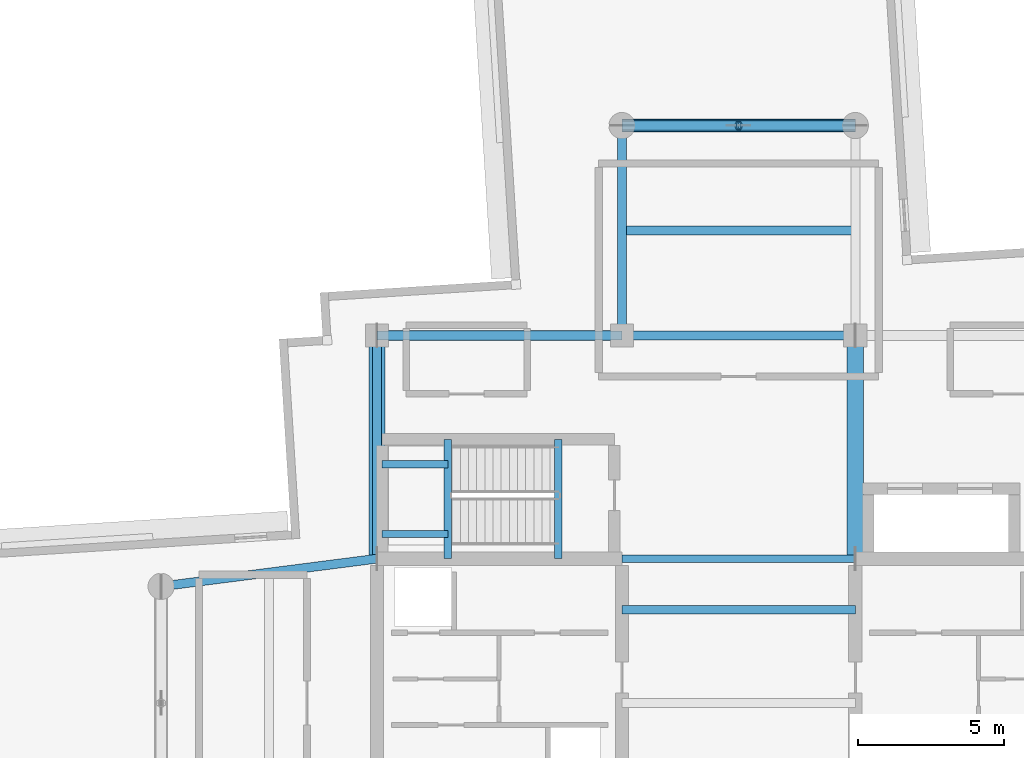
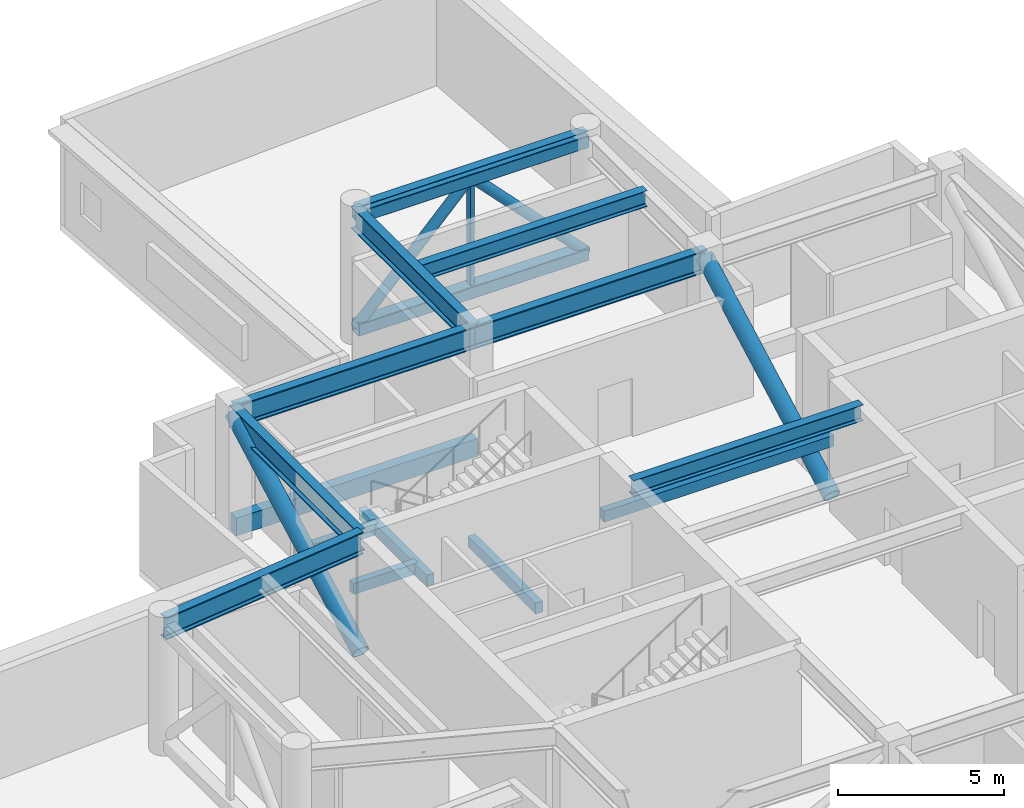
# One storey, part 5 of 14: 14 beams, 7 members.
"""IFC4 building model written with IfcOpenShell, lengths in metres."""

from ifc_helpers import new_model, si_unit, direction, frame, origin, origin_2d, place, context, subcontext, project, spatial, rectangle, hollow_rectangle, hollow_circle, i_section, extrude, material, material_profile, profile_set, type_object, element, save


model = new_model("IFC4")

# Units and contexts
model_context = context("Model", 3, precision=1e-05, world=origin(), true_north=direction((0.0, 1.0)))
body_context = subcontext(model_context, "Body", "Model", "MODEL_VIEW")
ifc_project = project(units=[si_unit("LENGTHUNIT", "METRE"), si_unit("AREAUNIT", "SQUARE_METRE"), si_unit("VOLUMEUNIT", "CUBIC_METRE"), si_unit("PLANEANGLEUNIT", "RADIAN"), si_unit("MASSUNIT", "GRAM", prefix="KILO")], contexts=[model_context])

# Site, building, storey
site_placement = place(None, origin())
site = spatial("IfcSite", under=ifc_project, at=site_placement, CompositionType="ELEMENT")
building_placement = place(site_placement, origin())
building = spatial("IfcBuilding", under=site, at=building_placement, Name="Qingluan Cross Belvedere", CompositionType="ELEMENT")
storey_placement = place(building_placement, frame((0.0, 0.0, 288.89990234375)))
storey = spatial("IfcBuildingStorey", under=building, at=storey_placement, Name="L72", CompositionType="ELEMENT", Elevation=288.89990234375)

# Beams
ifc_material_1 = material(Name="Concrete C45", Category="concrete")
ifc_material_profile_1 = material_profile(ifc_material_1, rectangle(XDim=0.25, YDim=0.39990234375, at=origin_2d()), Name="RC250x400")
ifc_profile_set_1 = profile_set([ifc_material_profile_1], Name="Concrete C45")
beam_type_1 = type_object("IfcBeamType", Name="RC_Lintel_RC250x400", PredefinedType="LINTEL", material=ifc_profile_set_1)
for number, where, z_axis, x_axis, name in (
    (1, (-6.179931640625, 4.949951171875, -0.199951171875), (0.0, 1.0, 0.0), (-1.0, 0.0, 0.0), "Stair ST3 landing beam L72"),
    (2, (-9.969970703125, 4.949951171875, 2.150146484375), (0.0, 1.0, 0.0), (-1.0, 0.0, 0.0), "Stair ST3 beam A L72"),
):
    element("IfcBeam", number, at=place(storey_placement, frame(where, z_axis=z_axis, x_axis=x_axis)), inside=storey, type_object=beam_type_1, Name=name, PredefinedType="LINTEL", context=body_context, shape_type="SweptSolid", body=[
        extrude(rectangle(XDim=0.25, YDim=0.39990234375, at=origin_2d()), origin(), (0.0, 0.0, 1.0), 4.090087890625),
    ])
for number, where, z_axis, x_axis, name in (
    (3, (-12.219970703125, 5.800048828125, 2.150146484375), (1.0, 0.0, 0.0), (0.0, 1.0, 0.0), "Stair ST3 beam B L72"),
    (4, (-12.219970703125, 8.18994140625, 2.150146484375), (1.0, 0.0, 0.0), (0.0, 1.0, 0.0), "Stair ST3 beam C L72"),
):
    element("IfcBeam", number, at=place(storey_placement, frame(where, z_axis=z_axis, x_axis=x_axis)), inside=storey, type_object=beam_type_1, Name=name, PredefinedType="LINTEL", context=body_context, shape_type="SweptSolid", body=[
        extrude(rectangle(XDim=0.25, YDim=0.39990234375, at=origin_2d()), origin(), (0.0, 0.0, 1.0), 2.25),
    ])
beam_1_placement = place(storey_placement, frame((-4.0, 4.949951171875, 2.4501953125), z_axis=(1.0, 0.0, 0.0), x_axis=(0.0, 1.0, 0.0)))
element("IfcBeam", 5, at=beam_1_placement, inside=storey, type_object=beam_type_1, Name="Core coupling lintel beam L72", PredefinedType="LINTEL", context=body_context, shape_type="SweptSolid", body=[
    extrude(rectangle(XDim=0.25, YDim=0.39990234375, at=origin_2d()), origin(), (0.0, 0.0, 1.0), 8.0),
])
ifc_material_2 = material(Name="Concrete C45", Category="concrete")
ifc_material_profile_2 = material_profile(ifc_material_2, rectangle(XDim=0.35009765625, YDim=0.64990234375, at=origin_2d()), Name="RC350x650")
ifc_profile_set_2 = profile_set([ifc_material_profile_2], Name="Concrete C45")
beam_type_2 = type_object("IfcBeamType", Name="RC_Spandrel_RC350x650", PredefinedType="SPANDREL", material=ifc_profile_set_2)
beam_2_placement = place(storey_placement, frame((-12.39990234375, 12.60009765625, 0.400146484375), z_axis=(1.0, 0.0, 0.0), x_axis=(0.0, 1.0, 0.0)))
element("IfcBeam", 6, at=beam_2_placement, inside=storey, type_object=beam_type_2, Name="Perimeter RC spandrel beam L72-NW", PredefinedType="SPANDREL", context=body_context, shape_type="SweptSolid", body=[
    extrude(rectangle(XDim=0.35009765625, YDim=0.64990234375, at=origin_2d()), origin(), (0.0, 0.0, 1.0), 8.39990234375),
])

# Members
ifc_material_3 = material(Name="Steel Q420GJB", Category="steel")
ifc_material_profile_3 = material_profile(ifc_material_3, hollow_circle(Radius=0.177490234375, WallThickness=0.01611328125, at=origin_2d()), Name="CHS355x16")
ifc_profile_set_3 = profile_set([ifc_material_profile_3], Name="Steel Q420GJB")
member_type_1 = type_object("IfcMemberType", Name="SteelMember_BRACE_CHS355x16", PredefinedType="BRACE", material=ifc_profile_set_3)
for number, where, z_axis, x_axis, name in (
    (7, (-4.0, 19.800048828125, 0.35009765625), (0.693983482825, 0.0, 0.719990920475), (0.0, 1.0, 0.0), "Belt truss diagonal A L72-N"),
    (8, (4.0, 19.800048828125, 0.35009765625), (-0.693983482825, 0.0, 0.719990920475), (0.0, -1.0, 0.0), "Belt truss diagonal B L72-N"),
):
    element("IfcMember", number, at=place(storey_placement, frame(where, z_axis=z_axis, x_axis=x_axis)), inside=storey, type_object=member_type_1, Name=name, PredefinedType="BRACE", context=body_context, shape_type="SweptSolid", body=[
        extrude(hollow_circle(Radius=0.177490234375, WallThickness=0.01611328125, at=origin_2d()), origin(), (0.0, 0.0, 1.0), 5.763916015625),
    ])
ifc_material_4 = material(Name="Steel Q420GJB", Category="steel")
ifc_material_profile_4 = material_profile(ifc_material_4, hollow_circle(Radius=0.279541015625, WallThickness=0.02490234375, at=origin_2d()), Name="CHS559x25")
ifc_profile_set_4 = profile_set([ifc_material_profile_4], Name="Steel Q420GJB")
member_type_2 = type_object("IfcMemberType", Name="SteelMember_BRACE_CHS559x25", PredefinedType="BRACE", material=ifc_profile_set_4)
for number, where, z_axis, x_axis, name in (
    (9, (-12.39990234375, 4.949951171875, 0.35009765625), (0.0, 0.878999574006, 0.476822554937), (-1.0, 0.0, 0.0), "Outrigger truss diagonal L72-OWN"),
    (10, (4.0, 4.949951171875, 0.35009765625), (0.0, 0.878999574006, 0.476822554937), (-1.0, 0.0, 0.0), "Outrigger truss diagonal L72-OCE"),
):
    element("IfcMember", number, at=place(storey_placement, frame(where, z_axis=z_axis, x_axis=x_axis)), inside=storey, type_object=member_type_2, Name=name, PredefinedType="BRACE", context=body_context, shape_type="SweptSolid", body=[
        extrude(hollow_circle(Radius=0.279541015625, WallThickness=0.02490234375, at=origin_2d()), origin(), (0.0, 0.0, 1.0), 8.703125),
    ])
ifc_material_5 = material(Name="Steel Q420GJB", Category="steel")
ifc_material_profile_5 = material_profile(ifc_material_5, hollow_rectangle(XDim=0.449951171875, YDim=0.449951171875, WallThickness=0.02197265625, InnerFilletRadius=0.02197265625, OuterFilletRadius=0.0439453125, at=origin_2d()), Name="RHS450x450x22")
ifc_profile_set_5 = profile_set([ifc_material_profile_5], Name="Steel Q420GJB")
member_type_3 = type_object("IfcMemberType", Name="SteelMember_CHORD_RHS450x450x22", PredefinedType="CHORD", material=ifc_profile_set_5)
for number, where, z_axis, x_axis, name in (
    (11, (-4.0, 19.800048828125, 0.35009765625), (1.0, 0.0, 0.0), (0.0, 1.0, 0.0), "Belt truss bottom chord L72-N"),
    (12, (-4.0, 19.800048828125, 4.5), (1.0, 0.0, 0.0), (0.0, 1.0, 0.0), "Belt truss top chord L72-N"),
):
    element("IfcMember", number, at=place(storey_placement, frame(where, z_axis=z_axis, x_axis=x_axis)), inside=storey, type_object=member_type_3, Name=name, PredefinedType="CHORD", context=body_context, shape_type="SweptSolid", body=[
        extrude(hollow_rectangle(XDim=0.449951171875, YDim=0.449951171875, WallThickness=0.02197265625, InnerFilletRadius=0.02197265625, OuterFilletRadius=0.0439453125, at=origin_2d()), origin(), (0.0, 0.0, 1.0), 8.0),
    ])
ifc_material_6 = material(Name="Steel Q420GJB", Category="steel")
ifc_material_profile_6 = material_profile(ifc_material_6, hollow_rectangle(XDim=0.14990234375, YDim=0.25, WallThickness=0.010009765625, InnerFilletRadius=0.010009765625, OuterFilletRadius=0.02001953125, at=origin_2d()), Name="RHS250x150x10")
ifc_profile_set_6 = profile_set([ifc_material_profile_6], Name="Steel Q420GJB")
member_type_4 = type_object("IfcMemberType", Name="SteelMember_POST_RHS250x150x10", PredefinedType="POST", material=ifc_profile_set_6)
member_placement = place(storey_placement, frame((0.0, 19.800048828125, 0.35009765625), z_axis=(0.0, 0.0, 1.0), x_axis=(1.0, 0.0, 0.0)))
element("IfcMember", 13, at=member_placement, inside=storey, type_object=member_type_4, Name="Belt truss mid-post L72-N", PredefinedType="POST", context=body_context, shape_type="SweptSolid", body=[
    extrude(hollow_rectangle(XDim=0.14990234375, YDim=0.25, WallThickness=0.010009765625, InnerFilletRadius=0.010009765625, OuterFilletRadius=0.02001953125, at=origin_2d()), origin(), (0.0, 0.0, 1.0), 4.14990234375),
])

# Beams
ifc_material_7 = material(Name="Steel Q420GJB", Category="steel")
ifc_material_profile_7 = material_profile(ifc_material_7, i_section(OverallWidth=0.300048828125, OverallDepth=0.587890625, WebThickness=0.011962890625, FlangeThickness=0.02001953125, FilletRadius=0.02392578125, at=origin_2d()), Name="HM588x300x12x20")
ifc_profile_set_7 = profile_set([ifc_material_profile_7], Name="Steel Q420GJB")
beam_type_3 = type_object("IfcBeamType", Name="Steel_Beam_HM588x300x12x20", PredefinedType="BEAM", material=ifc_profile_set_7)
for number, where, z_axis, x_axis, name in (
    (14, (-4.0, 3.199951171875, 4.55615234375), (1.0, 0.0, 0.0), (0.0, 1.0, 0.0), "Hall beam L72-CH3"),
    (15, (-4.0, 19.800048828125, 4.55615234375), (1.0, 0.0, 0.0), (0.0, 1.0, 0.0), "Arm N tie L72"),
    (16, (-4.0, 16.199951171875, 4.55615234375), (1.0, 0.0, 0.0), (0.0, 1.0, 0.0), "Arm N beam L72"),
):
    element("IfcBeam", number, at=place(storey_placement, frame(where, z_axis=z_axis, x_axis=x_axis)), inside=storey, type_object=beam_type_3, Name=name, PredefinedType="BEAM", context=body_context, shape_type="SweptSolid", body=[
        extrude(i_section(OverallWidth=0.300048828125, OverallDepth=0.587890625, WebThickness=0.011962890625, FlangeThickness=0.02001953125, FilletRadius=0.02392578125, at=origin_2d()), origin(), (0.0, 0.0, 1.0), 8.0),
    ])
ifc_material_8 = material(Name="Steel Q420GJB", Category="steel")
ifc_material_profile_8 = material_profile(ifc_material_8, i_section(OverallWidth=0.305908203125, OverallDepth=0.81396484375, WebThickness=0.02099609375, FlangeThickness=0.0400390625, FilletRadius=0.030029296875, at=origin_2d()), Name="HEM800")
ifc_profile_set_8 = profile_set([ifc_material_profile_8], Name="Steel Q420GJB")
beam_type_4 = type_object("IfcBeamType", Name="Steel_Girder_HEM800", PredefinedType="USERDEFINED", material=ifc_profile_set_8)
beam_3_placement = place(storey_placement, frame((-12.39990234375, 12.60009765625, 4.443115234375), z_axis=(1.0, 0.0, 0.0), x_axis=(0.0, 1.0, 0.0)))
element("IfcBeam", 17, at=beam_3_placement, inside=storey, type_object=beam_type_4, Name="Hub girder L72-HG-N1", ObjectType="GIRDER", PredefinedType="USERDEFINED", context=body_context, shape_type="SweptSolid", body=[
    extrude(i_section(OverallWidth=0.305908203125, OverallDepth=0.81396484375, WebThickness=0.02099609375, FlangeThickness=0.0400390625, FilletRadius=0.030029296875, at=origin_2d()), origin(), (0.0, 0.0, 1.0), 8.39990234375),
])
beam_4_placement = place(storey_placement, frame((-4.0, 12.60009765625, 4.443115234375), z_axis=(1.0, 0.0, 0.0), x_axis=(0.0, 1.0, 0.0)))
element("IfcBeam", 18, at=beam_4_placement, inside=storey, type_object=beam_type_4, Name="Hub girder L72-HG-N2", ObjectType="GIRDER", PredefinedType="USERDEFINED", context=body_context, shape_type="SweptSolid", body=[
    extrude(i_section(OverallWidth=0.305908203125, OverallDepth=0.81396484375, WebThickness=0.02099609375, FlangeThickness=0.0400390625, FilletRadius=0.030029296875, at=origin_2d()), origin(), (0.0, 0.0, 1.0), 8.0),
])
beam_5_placement = place(storey_placement, frame((-12.39990234375, 4.949951171875, 4.443115234375), z_axis=(0.0, 1.0, 0.0), x_axis=(-1.0, 0.0, 0.0)))
element("IfcBeam", 19, at=beam_5_placement, inside=storey, type_object=beam_type_4, Name="Hub girder L72-HG-W2", ObjectType="GIRDER", PredefinedType="USERDEFINED", context=body_context, shape_type="SweptSolid", body=[
    extrude(i_section(OverallWidth=0.305908203125, OverallDepth=0.81396484375, WebThickness=0.02099609375, FlangeThickness=0.0400390625, FilletRadius=0.030029296875, at=origin_2d()), origin(), (0.0, 0.0, 1.0), 7.650146484375),
])
beam_6_placement = place(storey_placement, frame((-12.39990234375, 4.949951171875, 4.443115234375), z_axis=(-0.991861120628, -0.12732445714, 0.0), x_axis=(0.12732445714, -0.991861120628, 0.0)))
element("IfcBeam", 20, at=beam_6_placement, inside=storey, type_object=beam_type_4, Name="Arm W radial girder B L72", ObjectType="GIRDER", PredefinedType="USERDEFINED", context=body_context, shape_type="SweptSolid", body=[
    extrude(i_section(OverallWidth=0.305908203125, OverallDepth=0.81396484375, WebThickness=0.02099609375, FlangeThickness=0.0400390625, FilletRadius=0.030029296875, at=origin_2d()), origin(), (0.0, 0.0, 1.0), 7.4609375),
])
beam_7_placement = place(storey_placement, frame((-4.0, 12.60009765625, 4.443115234375), z_axis=(0.0, 1.0, 0.0), x_axis=(-1.0, 0.0, 0.0)))
element("IfcBeam", 21, at=beam_7_placement, inside=storey, type_object=beam_type_4, Name="Arm N radial girder A L72", ObjectType="GIRDER", PredefinedType="USERDEFINED", context=body_context, shape_type="SweptSolid", body=[
    extrude(i_section(OverallWidth=0.305908203125, OverallDepth=0.81396484375, WebThickness=0.02099609375, FlangeThickness=0.0400390625, FilletRadius=0.030029296875, at=origin_2d()), origin(), (0.0, 0.0, 1.0), 7.199951171875),
])

save(model, "model.ifc")
